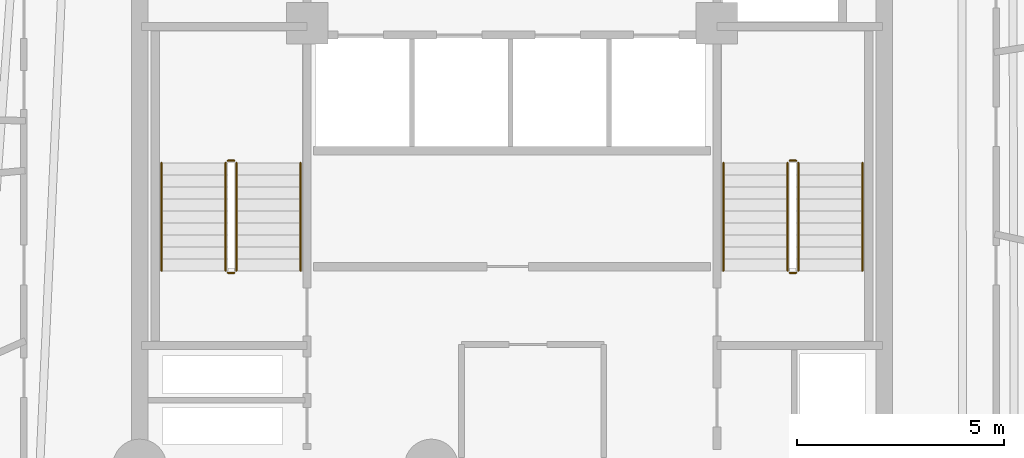
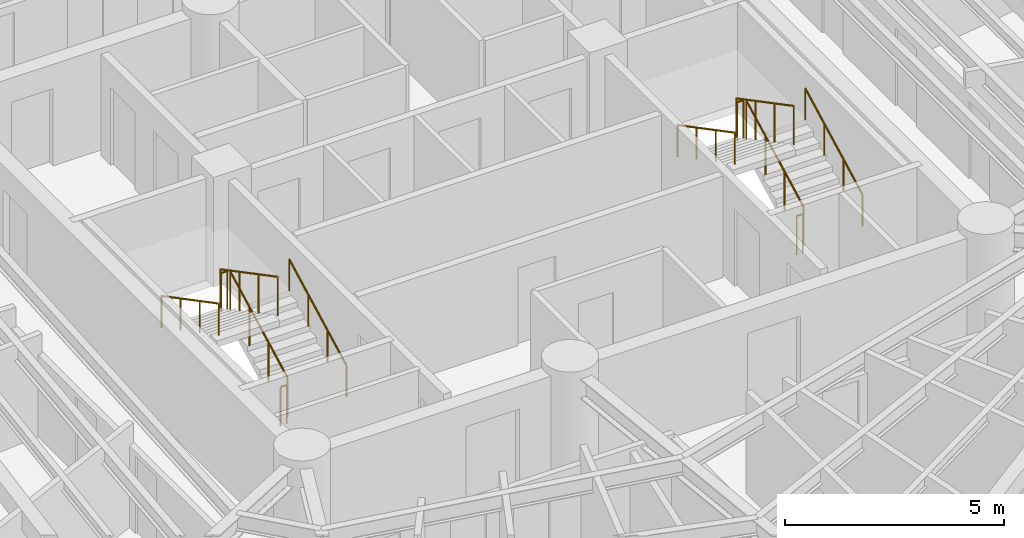
# One storey, part 8 of 8: 12 railings.
"""IFC4 building model written with IfcOpenShell, lengths in metres."""

import ifcopenshell
import ifcopenshell.guid

model = None  # the IFC model being written
_history = None  # IfcOwnerHistory: only IFC2X3 demands one
_inside = {}  # id of a spatial element -> (the spatial element, [elements in it])
_under = {}  # id of a project, library or spatial element -> (it, [spatial elements below it])
_declared = {}  # id of a project -> (the project, [libraries it declares])
_typed = {}  # id of a type object -> (the type object, [elements of that type])
_made_of = {}  # id of a material, layer set ... -> (it, [elements and type objects made of it])


def new_model(schema):
    """Start an empty IFC model of exactly this schema.

    Asked for "IFC4X3", IfcOpenShell would pick the latest addendum, in which some entities
    have other attributes; the version numbers below select the first issue.
    IFC2X3 requires an IfcOwnerHistory on every rooted entity: one is made here for all.
    """
    global model, _history
    if schema == "IFC4X3":
        model = ifcopenshell.file(schema_version=(4, 3, 0, 0))
    else:
        model = ifcopenshell.file(schema=schema)
    _inside.clear()
    _under.clear()
    _declared.clear()
    _typed.clear()
    _made_of.clear()
    _history = None
    if model.schema == "IFC2X3":
        org = make("IfcOrganization", Name="unknown")
        user = make(
            "IfcPersonAndOrganization",
            ThePerson=make("IfcPerson", FamilyName="unknown"),
            TheOrganization=org,
        )
        app = make(
            "IfcApplication",
            ApplicationDeveloper=org,
            Version="unknown",
            ApplicationFullName="unknown",
            ApplicationIdentifier="unknown",
        )
        _history = make(
            "IfcOwnerHistory",
            OwningUser=user,
            OwningApplication=app,
            ChangeAction="ADDED",
            CreationDate=0,
        )
    return model


def make(cls, **values):
    """One entity of the class cls with the attributes given. An attribute that is None is left unset."""
    return model.create_entity(
        cls, **{name: value for name, value in values.items() if value is not None}
    )


def rooted(cls, **values):
    """An entity with a GlobalId (a new one), such as an element, a storey or a relation."""
    return make(cls, GlobalId=ifcopenshell.guid.new(), OwnerHistory=_history, **values)


def si_unit(unit_type, name, prefix=None):
    """IfcSIUnit, for example si_unit("LENGTHUNIT", "METRE", prefix="MILLI")."""
    return make("IfcSIUnit", UnitType=unit_type, Prefix=prefix, Name=name)


def assignment(units):
    """IfcUnitAssignment: the units of a project."""
    return None if units is None else make("IfcUnitAssignment", Units=units)


def point(xyz):
    """IfcCartesianPoint."""
    return None if xyz is None else make("IfcCartesianPoint", Coordinates=xyz)


def direction(xyz):
    """IfcDirection."""
    return None if xyz is None else make("IfcDirection", DirectionRatios=xyz)


def frame(location, z_axis=None, x_axis=None):
    """IfcAxis2Placement3D, a coordinate frame: its origin and axes. An axis left out is left unset."""
    return make(
        "IfcAxis2Placement3D",
        Location=point(location),
        Axis=direction(z_axis),
        RefDirection=direction(x_axis),
    )


def frame_2d(location, x_axis=None):
    """IfcAxis2Placement2D, a coordinate frame in the plane: its origin and x axis."""
    return make(
        "IfcAxis2Placement2D", Location=point(location), RefDirection=direction(x_axis)
    )


def origin():
    """The frame at (0, 0, 0) with its axes left unset."""
    return frame((0.0, 0.0, 0.0))


def origin_2d():
    """The frame at (0, 0) in the plane with its x axis left unset."""
    return frame_2d((0.0, 0.0))


def place(relative_to, where):
    """IfcLocalPlacement: puts the frame where relative to a parent placement (None: the world)."""
    return make(
        "IfcLocalPlacement", PlacementRelTo=relative_to, RelativePlacement=where
    )


def context(
    kind, dimensions, precision=None, world=None, true_north=None, identifier=None
):
    """IfcGeometricRepresentationContext, for example the 3D "Model" context."""
    return make(
        "IfcGeometricRepresentationContext",
        ContextIdentifier=identifier,
        ContextType=kind,
        CoordinateSpaceDimension=dimensions,
        Precision=precision,
        WorldCoordinateSystem=world,
        TrueNorth=true_north,
    )


def subcontext(parent, identifier, kind, view, scale=None):
    """IfcGeometricRepresentationSubContext, for example "Body" below "Model"."""
    return make(
        "IfcGeometricRepresentationSubContext",
        ContextIdentifier=identifier,
        ContextType=kind,
        ParentContext=parent,
        TargetScale=scale,
        TargetView=view,
    )


def project(units=None, contexts=None):
    """IfcProject with its units and contexts."""
    return rooted(
        "IfcProject",
        Name="project",
        RepresentationContexts=contexts,
        UnitsInContext=assignment(units),
    )


def spatial(cls, under=None, at=None, **own):
    """A site, building, storey or space (cls), placed at a placement, below another one or the project."""
    s = rooted(cls, ObjectPlacement=at, **own)
    if under is not None:
        _under.setdefault(under.id(), (under, []))[1].append(s)
    return s


def profile(cls, at=None, kind="AREA", **sizes):
    """A parametric profile (cls). Its sizes go by their IFC names, for example OverallWidth=200.0."""
    return make(cls, ProfileType=kind, Position=at, **sizes)


def circle(**sizes):
    """IfcCircleProfileDef."""
    return profile("IfcCircleProfileDef", **sizes)


def extrude(swept, where, along, depth):
    """IfcExtrudedAreaSolid: the profile swept, set in the frame where, extruded along a direction by depth."""
    return make(
        "IfcExtrudedAreaSolid",
        SweptArea=swept,
        Position=where,
        ExtrudedDirection=direction(along),
        Depth=depth,
    )


def shape(context_of_items, identifier, shape_type, items):
    """IfcShapeRepresentation: the items that make up one representation, for example the "Body"."""
    return make(
        "IfcShapeRepresentation",
        ContextOfItems=context_of_items,
        RepresentationIdentifier=identifier,
        RepresentationType=shape_type,
        Items=items,
    )


def material(Name=None, Category=None):
    """IfcMaterial."""
    return make("IfcMaterial", Name=Name, Category=Category)


def layer(
    of_material, thickness, ventilated=None, Name=None, Category=None, Priority=None
):
    """IfcMaterialLayer: one layer of a wall or slab, of a material (None: an air gap)."""
    return make(
        "IfcMaterialLayer",
        Material=of_material,
        LayerThickness=thickness,
        IsVentilated=ventilated,
        Name=Name,
        Category=Category,
        Priority=Priority,
    )


def layer_set(layers, Name=None):
    """IfcMaterialLayerSet."""
    return make("IfcMaterialLayerSet", MaterialLayers=layers, LayerSetName=Name)


def made_of(thing, what):
    """Note that an element or type object is made of a material, layer set ...; save() writes the relation."""
    if what is not None:
        _made_of.setdefault(what.id(), (what, []))[1].append(thing)
    return thing


def type_object(cls, material=None, **own):
    """A type object (cls), such as IfcWallType, which elements share."""
    return made_of(rooted(cls, **own), material)


def element(
    cls,
    number,
    at=None,
    inside=None,
    cuts=None,
    type_object=None,
    material=None,
    context=None,
    identifier="Body",
    shape_type=None,
    held_by="IfcProductDefinitionShape",
    body=None,
    shapes=None,
    **own,
):
    """One element of the class cls, such as IfcWall. Its Tag is "e" and its number.

    at: its placement. inside: the storey or other place that contains it. cuts: it is an
    opening in that element (IfcRelVoidsElement). A single representation is given by context,
    identifier, shape_type and body (its items); several are given by shapes. held_by: the class
    of the entity that holds the representations. save() writes the other relations.
    """
    e = rooted(cls, Tag="e%d" % number, ObjectPlacement=at, **own)
    if body is not None:
        shapes = [shape(context, identifier, shape_type, body)]
    if shapes is not None:
        e.Representation = make(held_by, Representations=shapes)
    if inside is not None:
        _inside.setdefault(inside.id(), (inside, []))[1].append(e)
    if cuts is not None:
        rooted(
            "IfcRelVoidsElement", RelatingBuildingElement=cuts, RelatedOpeningElement=e
        )
    if type_object is not None:
        _typed.setdefault(type_object.id(), (type_object, []))[1].append(e)
    return made_of(e, material)


def aggregate(whole, parts):
    """IfcRelAggregates: a whole, such as a stair, and the parts it consists of."""
    return rooted("IfcRelAggregates", RelatingObject=whole, RelatedObjects=parts)


def save(model, path):
    """Write the relations noted so far, then the file.

    IfcRelAggregates (storeys below a building ...), IfcRelContainedInSpatialStructure (elements
    in a storey), IfcRelDefinesByType, IfcRelAssociatesMaterial and IfcRelDeclares: one each for
    every whole, place, type object, material and project.
    """
    for whole, parts in _under.values():
        aggregate(whole, parts)
    for where, things in _inside.values():
        rooted(
            "IfcRelContainedInSpatialStructure",
            RelatedElements=things,
            RelatingStructure=where,
        )
    for kind, things in _typed.values():
        rooted("IfcRelDefinesByType", RelatedObjects=things, RelatingType=kind)
    for what, things in _made_of.values():
        rooted("IfcRelAssociatesMaterial", RelatedObjects=things, RelatingMaterial=what)
    for by, libraries in _declared.values():
        rooted("IfcRelDeclares", RelatingContext=by, RelatedDefinitions=libraries)
    model.write(path)


model = new_model("IFC4")

# Units and contexts
model_context = context("Model", 3, precision=1e-05, world=origin(), true_north=direction((0.0, 1.0)))
body_context = subcontext(model_context, "Body", "Model", "MODEL_VIEW")
ifc_project = project(units=[si_unit("LENGTHUNIT", "METRE"), si_unit("AREAUNIT", "SQUARE_METRE"), si_unit("VOLUMEUNIT", "CUBIC_METRE"), si_unit("PLANEANGLEUNIT", "RADIAN"), si_unit("MASSUNIT", "GRAM", prefix="KILO")], contexts=[model_context])

# Site, building, storey
site_placement = place(None, origin())
site = spatial("IfcSite", under=ifc_project, at=site_placement, CompositionType="ELEMENT")
building_placement = place(site_placement, origin())
building = spatial("IfcBuilding", under=site, at=building_placement, Name="Karkom Vertical University and Central Library", CompositionType="ELEMENT")
storey_placement = place(building_placement, frame((0.0, 0.0, 165.699951171875)))
storey = spatial("IfcBuildingStorey", under=building, at=storey_placement, Name="L47", CompositionType="ELEMENT", Elevation=165.699951171875)

# Railings
ifc_material_1 = material(Name="Painted galvanised steel balustrade", Category="steel")
ifc_layer_1 = layer(ifc_material_1, 0.06005859375)
ifc_layer_set_1 = layer_set([ifc_layer_1], Name="Painted galvanised steel balustrade")
railing_type_1 = type_object("IfcRailingType", Name="INT-RL-GUARD1100", PredefinedType="GUARDRAIL", material=ifc_layer_set_1)
railing_1_placement = place(storey_placement, frame((21.840087890625, 23.02001953125, 0.152587890625)))
element("IfcRailing", 1, at=railing_1_placement, inside=storey, type_object=railing_type_1, Name="Level 47 ST-1 stair guard 1", PredefinedType="GUARDRAIL", context=body_context, shape_type="SweptSolid", body=[
    extrude(circle(Radius=0.02392578125, at=origin_2d()), frame((0.0, 0.0, 1.076171875), z_axis=(0.0, 0.885065446896, 0.46546659892), x_axis=(-1.0, 0.0, 0.0)), (0.0, 0.0, 1.0), 2.94873046875),
    extrude(circle(Radius=0.02099609375, at=origin_2d()), origin(), (0.0, 0.0, 1.0), 1.052001953125),
    extrude(circle(Radius=0.02099609375, at=origin_2d()), frame((0.0, 0.869873046875, 0.45751953125)), (0.0, 0.0, 1.0), 1.052001953125),
    extrude(circle(Radius=0.02099609375, at=origin_2d()), frame((0.0, 1.739990234375, 0.9150390625)), (0.0, 0.0, 1.0), 1.052001953125),
    extrude(circle(Radius=0.02099609375, at=origin_2d()), frame((0.0, 2.60986328125, 1.37255859375)), (0.0, 0.0, 1.0), 1.052001953125),
])
railing_2_placement = place(storey_placement, frame((21.7900390625, 25.679931640625, 1.525146484375)))
element("IfcRailing", 2, at=railing_2_placement, inside=storey, type_object=railing_type_1, Name="Level 47 ST-1 stair guard 2", PredefinedType="GUARDRAIL", context=body_context, shape_type="SweptSolid", body=[
    extrude(circle(Radius=0.02392578125, at=origin_2d()), frame((0.0, 0.0, 1.076171875), z_axis=(-1.0, 0.0, 0.0), x_axis=(0.0, -1.0, 0.0)), (0.0, 0.0, 1.0), 0.16015625),
    extrude(circle(Radius=0.02099609375, at=origin_2d()), origin(), (0.0, 0.0, 1.0), 1.052001953125),
    extrude(circle(Radius=0.02099609375, at=origin_2d()), frame((-0.16015625, 0.0, 0.0)), (0.0, 0.0, 1.0), 1.052001953125),
])
railing_3_placement = place(storey_placement, frame((21.580078125, 25.6298828125, 1.677490234375)))
element("IfcRailing", 3, at=railing_3_placement, inside=storey, type_object=railing_type_1, Name="Level 47 ST-1 stair guard 3", PredefinedType="GUARDRAIL", context=body_context, shape_type="SweptSolid", body=[
    extrude(circle(Radius=0.02392578125, at=origin_2d()), frame((0.0, 0.0, 1.076171875), z_axis=(0.0, -0.885065446896, 0.46546659892), x_axis=(1.0, 0.0, 0.0)), (0.0, 0.0, 1.0), 2.94873046875),
    extrude(circle(Radius=0.02099609375, at=origin_2d()), origin(), (0.0, 0.0, 1.0), 1.052001953125),
    extrude(circle(Radius=0.02099609375, at=origin_2d()), frame((0.0, -0.869873046875, 0.45751953125)), (0.0, 0.0, 1.0), 1.052001953125),
    extrude(circle(Radius=0.02099609375, at=origin_2d()), frame((0.0, -1.739990234375, 0.9150390625)), (0.0, 0.0, 1.0), 1.052001953125),
    extrude(circle(Radius=0.02099609375, at=origin_2d()), frame((0.0, -2.60986328125, 1.37255859375)), (0.0, 0.0, 1.0), 1.052001953125),
])
railing_4_placement = place(storey_placement, frame((21.7900390625, 22.969970703125, 0.0)))
element("IfcRailing", 4, at=railing_4_placement, inside=storey, type_object=railing_type_1, Name="Level 47 ST-1 stair guard 4", PredefinedType="GUARDRAIL", context=body_context, shape_type="SweptSolid", body=[
    extrude(circle(Radius=0.02392578125, at=origin_2d()), frame((0.0, 0.0, 1.076171875), z_axis=(-1.0, 0.0, 0.0), x_axis=(0.0, -1.0, 0.0)), (0.0, 0.0, 1.0), 0.16015625),
    extrude(circle(Radius=0.02099609375, at=origin_2d()), origin(), (0.0, 0.0, 1.0), 1.052001953125),
    extrude(circle(Radius=0.02099609375, at=origin_2d()), frame((-0.16015625, 0.0, 0.0)), (0.0, 0.0, 1.0), 1.052001953125),
])
railing_5_placement = place(storey_placement, frame((35.419921875, 23.02001953125, 0.152587890625)))
element("IfcRailing", 5, at=railing_5_placement, inside=storey, type_object=railing_type_1, Name="Level 47 ST-2 stair guard 1", PredefinedType="GUARDRAIL", context=body_context, shape_type="SweptSolid", body=[
    extrude(circle(Radius=0.02392578125, at=origin_2d()), frame((0.0, 0.0, 1.076171875), z_axis=(0.0, 0.885065446896, 0.46546659892), x_axis=(-1.0, 0.0, 0.0)), (0.0, 0.0, 1.0), 2.94873046875),
    extrude(circle(Radius=0.02099609375, at=origin_2d()), origin(), (0.0, 0.0, 1.0), 1.052001953125),
    extrude(circle(Radius=0.02099609375, at=origin_2d()), frame((0.0, 0.869873046875, 0.45751953125)), (0.0, 0.0, 1.0), 1.052001953125),
    extrude(circle(Radius=0.02099609375, at=origin_2d()), frame((0.0, 1.739990234375, 0.9150390625)), (0.0, 0.0, 1.0), 1.052001953125),
    extrude(circle(Radius=0.02099609375, at=origin_2d()), frame((0.0, 2.60986328125, 1.37255859375)), (0.0, 0.0, 1.0), 1.052001953125),
])
railing_6_placement = place(storey_placement, frame((35.3701171875, 25.679931640625, 1.525146484375)))
element("IfcRailing", 6, at=railing_6_placement, inside=storey, type_object=railing_type_1, Name="Level 47 ST-2 stair guard 2", PredefinedType="GUARDRAIL", context=body_context, shape_type="SweptSolid", body=[
    extrude(circle(Radius=0.02392578125, at=origin_2d()), frame((0.0, 0.0, 1.076171875), z_axis=(-1.0, 0.0, 0.0), x_axis=(0.0, -1.0, 0.0)), (0.0, 0.0, 1.0), 0.16015625),
    extrude(circle(Radius=0.02099609375, at=origin_2d()), origin(), (0.0, 0.0, 1.0), 1.052001953125),
    extrude(circle(Radius=0.02099609375, at=origin_2d()), frame((-0.16015625, 0.0, 0.0)), (0.0, 0.0, 1.0), 1.052001953125),
])
railing_7_placement = place(storey_placement, frame((35.159912109375, 25.6298828125, 1.677490234375)))
element("IfcRailing", 7, at=railing_7_placement, inside=storey, type_object=railing_type_1, Name="Level 47 ST-2 stair guard 3", PredefinedType="GUARDRAIL", context=body_context, shape_type="SweptSolid", body=[
    extrude(circle(Radius=0.02392578125, at=origin_2d()), frame((0.0, 0.0, 1.076171875), z_axis=(0.0, -0.885065446896, 0.46546659892), x_axis=(1.0, 0.0, 0.0)), (0.0, 0.0, 1.0), 2.94873046875),
    extrude(circle(Radius=0.02099609375, at=origin_2d()), origin(), (0.0, 0.0, 1.0), 1.052001953125),
    extrude(circle(Radius=0.02099609375, at=origin_2d()), frame((0.0, -0.869873046875, 0.45751953125)), (0.0, 0.0, 1.0), 1.052001953125),
    extrude(circle(Radius=0.02099609375, at=origin_2d()), frame((0.0, -1.739990234375, 0.9150390625)), (0.0, 0.0, 1.0), 1.052001953125),
    extrude(circle(Radius=0.02099609375, at=origin_2d()), frame((0.0, -2.60986328125, 1.37255859375)), (0.0, 0.0, 1.0), 1.052001953125),
])
railing_8_placement = place(storey_placement, frame((35.3701171875, 22.969970703125, 0.0)))
element("IfcRailing", 8, at=railing_8_placement, inside=storey, type_object=railing_type_1, Name="Level 47 ST-2 stair guard 4", PredefinedType="GUARDRAIL", context=body_context, shape_type="SweptSolid", body=[
    extrude(circle(Radius=0.02392578125, at=origin_2d()), frame((0.0, 0.0, 1.076171875), z_axis=(-1.0, 0.0, 0.0), x_axis=(0.0, -1.0, 0.0)), (0.0, 0.0, 1.0), 0.16015625),
    extrude(circle(Radius=0.02099609375, at=origin_2d()), origin(), (0.0, 0.0, 1.0), 1.052001953125),
    extrude(circle(Radius=0.02099609375, at=origin_2d()), frame((-0.16015625, 0.0, 0.0)), (0.0, 0.0, 1.0), 1.052001953125),
])
ifc_material_2 = material(Name="Brushed stainless-steel tubular handrail", Category="steel")
ifc_layer_2 = layer(ifc_material_2, 0.048095703125)
ifc_layer_set_2 = layer_set([ifc_layer_2], Name="Brushed stainless-steel tubular handrail")
railing_type_2 = type_object("IfcRailingType", Name="INT-RL-HAND920", PredefinedType="HANDRAIL", material=ifc_layer_set_2)
railing_9_placement = place(storey_placement, frame((23.389892578125, 23.02001953125, 0.152587890625)))
element("IfcRailing", 9, at=railing_9_placement, inside=storey, type_object=railing_type_2, Name="Level 47 ST-1 stair handrail 1", PredefinedType="HANDRAIL", context=body_context, shape_type="SweptSolid", body=[
    extrude(circle(Radius=0.02392578125, at=origin_2d()), frame((0.0, 0.0, 0.8759765625), z_axis=(0.0, 0.885065446896, 0.46546659892), x_axis=(-1.0, 0.0, 0.0)), (0.0, 0.0, 1.0), 2.94873046875),
    extrude(circle(Radius=0.02099609375, at=origin_2d()), origin(), (0.0, 0.0, 1.0), 0.851806640625),
    extrude(circle(Radius=0.02099609375, at=origin_2d()), frame((0.0, 0.869873046875, 0.45751953125)), (0.0, 0.0, 1.0), 0.851806640625),
    extrude(circle(Radius=0.02099609375, at=origin_2d()), frame((0.0, 1.739990234375, 0.9150390625)), (0.0, 0.0, 1.0), 0.851806640625),
    extrude(circle(Radius=0.02099609375, at=origin_2d()), frame((0.0, 2.60986328125, 1.37255859375)), (0.0, 0.0, 1.0), 0.851806640625),
])
railing_10_placement = place(storey_placement, frame((20.030029296875, 25.6298828125, 1.677490234375)))
element("IfcRailing", 10, at=railing_10_placement, inside=storey, type_object=railing_type_2, Name="Level 47 ST-1 stair handrail 2", PredefinedType="HANDRAIL", context=body_context, shape_type="SweptSolid", body=[
    extrude(circle(Radius=0.02392578125, at=origin_2d()), frame((0.0, 0.0, 0.8759765625), z_axis=(0.0, -0.885065446896, 0.46546659892), x_axis=(1.0, 0.0, 0.0)), (0.0, 0.0, 1.0), 2.94873046875),
    extrude(circle(Radius=0.02099609375, at=origin_2d()), origin(), (0.0, 0.0, 1.0), 0.851806640625),
    extrude(circle(Radius=0.02099609375, at=origin_2d()), frame((0.0, -0.869873046875, 0.45751953125)), (0.0, 0.0, 1.0), 0.851806640625),
    extrude(circle(Radius=0.02099609375, at=origin_2d()), frame((0.0, -1.739990234375, 0.9150390625)), (0.0, 0.0, 1.0), 0.851806640625),
    extrude(circle(Radius=0.02099609375, at=origin_2d()), frame((0.0, -2.60986328125, 1.37255859375)), (0.0, 0.0, 1.0), 0.851806640625),
])
railing_11_placement = place(storey_placement, frame((36.969970703125, 23.02001953125, 0.152587890625)))
element("IfcRailing", 11, at=railing_11_placement, inside=storey, type_object=railing_type_2, Name="Level 47 ST-2 stair handrail 1", PredefinedType="HANDRAIL", context=body_context, shape_type="SweptSolid", body=[
    extrude(circle(Radius=0.02392578125, at=origin_2d()), frame((0.0, 0.0, 0.8759765625), z_axis=(0.0, 0.885065446896, 0.46546659892), x_axis=(-1.0, 0.0, 0.0)), (0.0, 0.0, 1.0), 2.94873046875),
    extrude(circle(Radius=0.02099609375, at=origin_2d()), origin(), (0.0, 0.0, 1.0), 0.851806640625),
    extrude(circle(Radius=0.02099609375, at=origin_2d()), frame((0.0, 0.869873046875, 0.45751953125)), (0.0, 0.0, 1.0), 0.851806640625),
    extrude(circle(Radius=0.02099609375, at=origin_2d()), frame((0.0, 1.739990234375, 0.9150390625)), (0.0, 0.0, 1.0), 0.851806640625),
    extrude(circle(Radius=0.02099609375, at=origin_2d()), frame((0.0, 2.60986328125, 1.37255859375)), (0.0, 0.0, 1.0), 0.851806640625),
])
railing_12_placement = place(storey_placement, frame((33.610107421875, 25.6298828125, 1.677490234375)))
element("IfcRailing", 12, at=railing_12_placement, inside=storey, type_object=railing_type_2, Name="Level 47 ST-2 stair handrail 2", PredefinedType="HANDRAIL", context=body_context, shape_type="SweptSolid", body=[
    extrude(circle(Radius=0.02392578125, at=origin_2d()), frame((0.0, 0.0, 0.8759765625), z_axis=(0.0, -0.885065446896, 0.46546659892), x_axis=(1.0, 0.0, 0.0)), (0.0, 0.0, 1.0), 2.94873046875),
    extrude(circle(Radius=0.02099609375, at=origin_2d()), origin(), (0.0, 0.0, 1.0), 0.851806640625),
    extrude(circle(Radius=0.02099609375, at=origin_2d()), frame((0.0, -0.869873046875, 0.45751953125)), (0.0, 0.0, 1.0), 0.851806640625),
    extrude(circle(Radius=0.02099609375, at=origin_2d()), frame((0.0, -1.739990234375, 0.9150390625)), (0.0, 0.0, 1.0), 0.851806640625),
    extrude(circle(Radius=0.02099609375, at=origin_2d()), frame((0.0, -2.60986328125, 1.37255859375)), (0.0, 0.0, 1.0), 0.851806640625),
])

save(model, "model.ifc")
